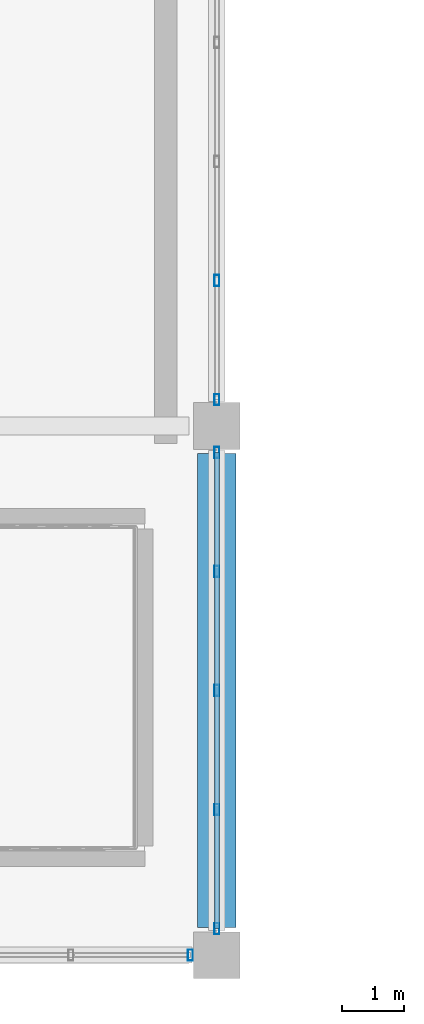
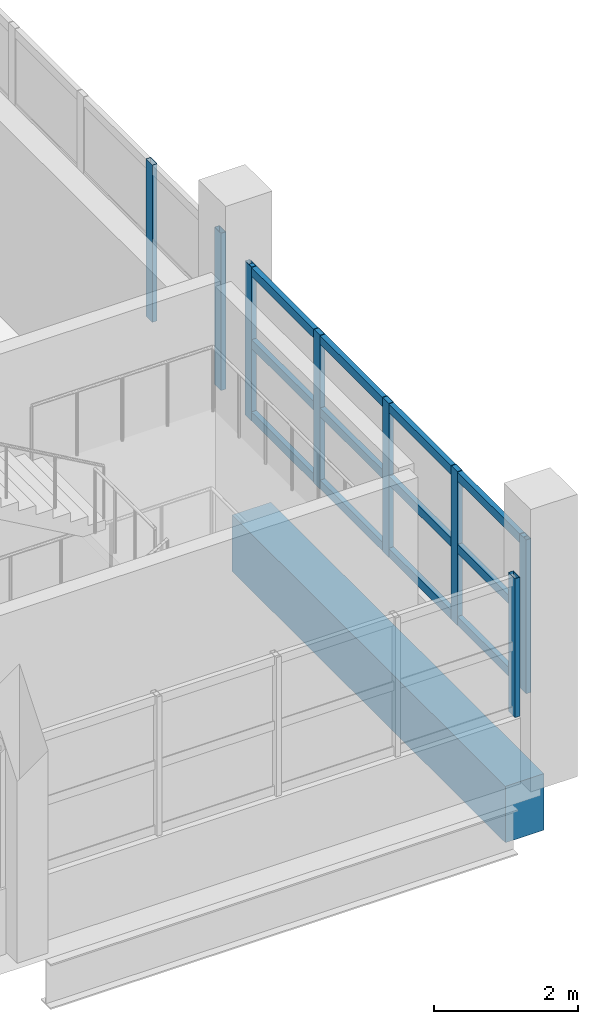
# One storey, part 67 of 117: 11 members, 1 beam, 3 elements without a shape of their own.
"""IFC4 building model written with IfcOpenShell, lengths in metres."""

from ifc_helpers import new_model, si_unit, direction, frame, origin, origin_2d, place, context, subcontext, project, spatial, rectangle, hollow_rectangle, extrude, material, material_profile, profile_set, type_object, element, aggregate, save


model = new_model("IFC4")

# Units and contexts
model_context = context("Model", 3, precision=1e-05, world=origin(), true_north=direction((0.0, 1.0)))
body_context = subcontext(model_context, "Body", "Model", "MODEL_VIEW")
ifc_project = project(units=[si_unit("LENGTHUNIT", "METRE"), si_unit("AREAUNIT", "SQUARE_METRE"), si_unit("VOLUMEUNIT", "CUBIC_METRE"), si_unit("PLANEANGLEUNIT", "RADIAN"), si_unit("MASSUNIT", "GRAM", prefix="KILO")], contexts=[model_context])

# Site, building, storey
site_placement = place(None, origin())
site = spatial("IfcSite", under=ifc_project, at=site_placement, CompositionType="ELEMENT")
building_placement = place(site_placement, origin())
building = spatial("IfcBuilding", under=site, at=building_placement, Name="Solvento Point Concert Hall", CompositionType="ELEMENT")
storey_placement = place(building_placement, frame((0.0, 0.0, 5.39990234375)))
storey = spatial("IfcBuildingStorey", under=building, at=storey_placement, Name="L01", CompositionType="ELEMENT", Elevation=5.39990234375)

# Beam
ifc_material_1 = material(Name="Concrete C35/45", Category="concrete")
ifc_material_profile_1 = material_profile(ifc_material_1, rectangle(XDim=0.6201171875, YDim=0.9599609375, at=origin_2d()), Name="RC-BM-620X960")
ifc_profile_set_1 = profile_set([ifc_material_profile_1], Name="Concrete C35/45")
beam_type = type_object("IfcBeamType", Name="Girder_RC_620x960", PredefinedType="USERDEFINED", material=ifc_profile_set_1)
beam_placement = place(storey_placement, frame((208.800048828125, 0.444091796875, -0.90380859375), z_axis=(0.0, 1.0, 0.0), x_axis=(-1.0, 0.0, 0.0)))
element("IfcBeam", 1, at=beam_placement, inside=storey, type_object=beam_type, Name="Primary girder B-69 L01", ObjectType="GIRDER", PredefinedType="USERDEFINED", context=body_context, shape_type="SweptSolid", body=[
    extrude(rectangle(XDim=0.6201171875, YDim=0.9599609375, at=origin_2d()), origin(), (0.0, 0.0, 1.0), 7.61181640625),
])

# Curtain wall, members
ifc_material_2 = material(Name="Anodized Bronze Aluminium", Category="aluminium")
curtain_wall_type = type_object("IfcCurtainWallType", Name="CurtainWall_ChamberCircle", PredefinedType="USERDEFINED", material=ifc_material_2)
curtain_wall_1_placement = place(storey_placement, origin())
curtain_wall_1 = element("IfcCurtainWall", 2, at=curtain_wall_1_placement, inside=storey, type_object=curtain_wall_type, Name="Unitised curtain wall CW-32 UCW-L01-083", ObjectType="UNITISED CURTAIN WALL", PredefinedType="USERDEFINED")
ifc_material_3 = material(Name="Anodized Bronze Aluminium", Category="aluminium")
ifc_material_profile_2 = material_profile(ifc_material_3, hollow_rectangle(XDim=0.080078125, YDim=0.179931640625, WallThickness=0.00390625, at=origin_2d()), Name="CW-MUL-80X180")
ifc_profile_set_2 = profile_set([ifc_material_profile_2], Name="Anodized Bronze Aluminium")
member_type_1 = type_object("IfcMemberType", Name="Mullion_80x180", PredefinedType="MULLION", material=ifc_profile_set_2)
member_1_placement = place(storey_placement, frame((208.800048828125, 0.425048828125, 1.1201171875), z_axis=(0.0, 0.0, 1.0), x_axis=(1.0, 0.0, 0.0)))
member_1 = element("IfcMember", 3, at=member_1_placement, type_object=member_type_1, Name="Curtain wall mullion ML-01", PredefinedType="MULLION", context=body_context, shape_type="SweptSolid", body=[
    extrude(hollow_rectangle(XDim=0.080078125, YDim=0.179931640625, WallThickness=0.00390625, at=origin_2d()), origin(), (0.0, 0.0, 1.0), 2.615966796875),
])
member_2_placement = place(storey_placement, frame((208.800048828125, 2.33740234375, 1.1201171875), z_axis=(0.0, 0.0, 1.0), x_axis=(1.0, 0.0, 0.0)))
member_2 = element("IfcMember", 4, at=member_2_placement, type_object=member_type_1, Name="Curtain wall mullion ML-01", PredefinedType="MULLION", context=body_context, shape_type="SweptSolid", body=[
    extrude(hollow_rectangle(XDim=0.080078125, YDim=0.179931640625, WallThickness=0.00390625, at=origin_2d()), origin(), (0.0, 0.0, 1.0), 2.615966796875),
])
member_3_placement = place(storey_placement, frame((208.800048828125, 4.25, 1.1201171875), z_axis=(0.0, 0.0, 1.0), x_axis=(1.0, 0.0, 0.0)))
member_3 = element("IfcMember", 5, at=member_3_placement, type_object=member_type_1, Name="Curtain wall mullion ML-01", PredefinedType="MULLION", context=body_context, shape_type="SweptSolid", body=[
    extrude(hollow_rectangle(XDim=0.080078125, YDim=0.179931640625, WallThickness=0.00390625, at=origin_2d()), origin(), (0.0, 0.0, 1.0), 2.615966796875),
])
member_4_placement = place(storey_placement, frame((208.800048828125, 6.16259765625, 1.1201171875), z_axis=(0.0, 0.0, 1.0), x_axis=(1.0, 0.0, 0.0)))
member_4 = element("IfcMember", 6, at=member_4_placement, type_object=member_type_1, Name="Curtain wall mullion ML-01", PredefinedType="MULLION", context=body_context, shape_type="SweptSolid", body=[
    extrude(hollow_rectangle(XDim=0.080078125, YDim=0.179931640625, WallThickness=0.00390625, at=origin_2d()), origin(), (0.0, 0.0, 1.0), 2.615966796875),
])
member_5_placement = place(storey_placement, frame((208.800048828125, 8.074951171875, 1.1201171875), z_axis=(0.0, 0.0, 1.0), x_axis=(1.0, 0.0, 0.0)))
member_5 = element("IfcMember", 7, at=member_5_placement, type_object=member_type_1, Name="Curtain wall mullion ML-01", PredefinedType="MULLION", context=body_context, shape_type="SweptSolid", body=[
    extrude(hollow_rectangle(XDim=0.080078125, YDim=0.179931640625, WallThickness=0.00390625, at=origin_2d()), origin(), (0.0, 0.0, 1.0), 2.615966796875),
])

curtain_wall_2_placement = place(storey_placement, origin())
curtain_wall_2 = element("IfcCurtainWall", 8, at=curtain_wall_2_placement, inside=storey, type_object=curtain_wall_type, Name="Unitised curtain wall CW-32 UCW-L01-084", ObjectType="UNITISED CURTAIN WALL", PredefinedType="USERDEFINED")
member_6_placement = place(storey_placement, frame((208.800048828125, 8.925048828125, 1.1201171875), z_axis=(0.0, 0.0, 1.0), x_axis=(1.0, 0.0, 0.0)))
member_6 = element("IfcMember", 9, at=member_6_placement, type_object=member_type_1, Name="Curtain wall mullion ML-01", PredefinedType="MULLION", context=body_context, shape_type="SweptSolid", body=[
    extrude(hollow_rectangle(XDim=0.080078125, YDim=0.179931640625, WallThickness=0.00390625, at=origin_2d()), origin(), (0.0, 0.0, 1.0), 2.675048828125),
])
member_7_placement = place(storey_placement, frame((208.800048828125, 10.83740234375, 1.1201171875), z_axis=(0.0, 0.0, 1.0), x_axis=(1.0, 0.0, 0.0)))
member_7 = element("IfcMember", 10, at=member_7_placement, type_object=member_type_1, Name="Curtain wall mullion ML-01", PredefinedType="MULLION", context=body_context, shape_type="SweptSolid", body=[
    extrude(hollow_rectangle(XDim=0.080078125, YDim=0.179931640625, WallThickness=0.00390625, at=origin_2d()), origin(), (0.0, 0.0, 1.0), 2.675048828125),
])
aggregate(curtain_wall_2, [member_6, member_7])

# Curtain wall, member
curtain_wall_3_placement = place(storey_placement, origin())
curtain_wall_3 = element("IfcCurtainWall", 11, at=curtain_wall_3_placement, inside=storey, type_object=curtain_wall_type, Name="Unitised curtain wall CW-32 UCW-L01-092", ObjectType="UNITISED CURTAIN WALL", PredefinedType="USERDEFINED")
member_8_placement = place(storey_placement, frame((208.375, 0.0, 1.1201171875), z_axis=(0.0, 0.0, 1.0), x_axis=(1.0, 0.0, 0.0)))
member_8 = element("IfcMember", 12, at=member_8_placement, type_object=member_type_1, Name="Curtain wall mullion ML-01", PredefinedType="MULLION", context=body_context, shape_type="SweptSolid", body=[
    extrude(hollow_rectangle(XDim=0.080078125, YDim=0.179931640625, WallThickness=0.00390625, at=origin_2d()), origin(), (0.0, 0.0, 1.0), 2.364990234375),
])
aggregate(curtain_wall_3, [member_8])

# Member
ifc_material_4 = material(Name="Anodized Bronze Aluminium", Category="aluminium")
ifc_material_profile_3 = material_profile(ifc_material_4, hollow_rectangle(XDim=0.080078125, YDim=0.14990234375, WallThickness=0.00390625, at=origin_2d()), Name="CW-TRN-80X150")
ifc_profile_set_3 = profile_set([ifc_material_profile_3], Name="Anodized Bronze Aluminium")
member_type_2 = type_object("IfcMemberType", Name="Transom_80x150", PredefinedType="USERDEFINED", material=ifc_profile_set_3)
member_9_placement = place(storey_placement, frame((208.800048828125, 0.425048828125, 1.2001953125), z_axis=(0.0, 1.0, 0.0), x_axis=(-1.0, 0.0, 0.0)))
member_9 = element("IfcMember", 13, at=member_9_placement, type_object=member_type_2, Name="Curtain wall transom TR-01", ObjectType="TRANSOM", PredefinedType="USERDEFINED", context=body_context, shape_type="SweptSolid", body=[
    extrude(hollow_rectangle(XDim=0.080078125, YDim=0.14990234375, WallThickness=0.00390625, at=origin_2d()), origin(), (0.0, 0.0, 1.0), 7.64990234375),
])

member_10_placement = place(storey_placement, frame((208.800048828125, 0.425048828125, 2.427978515625), z_axis=(0.0, 1.0, 0.0), x_axis=(-1.0, 0.0, 0.0)))
member_10 = element("IfcMember", 14, at=member_10_placement, type_object=member_type_2, Name="Curtain wall transom TR-01", ObjectType="TRANSOM", PredefinedType="USERDEFINED", context=body_context, shape_type="SweptSolid", body=[
    extrude(hollow_rectangle(XDim=0.080078125, YDim=0.14990234375, WallThickness=0.00390625, at=origin_2d()), origin(), (0.0, 0.0, 1.0), 7.64990234375),
])

member_11_placement = place(storey_placement, frame((208.800048828125, 0.425048828125, 3.656005859375), z_axis=(0.0, 1.0, 0.0), x_axis=(-1.0, 0.0, 0.0)))
member_11 = element("IfcMember", 15, at=member_11_placement, type_object=member_type_2, Name="Curtain wall transom TR-01", ObjectType="TRANSOM", PredefinedType="USERDEFINED", context=body_context, shape_type="SweptSolid", body=[
    extrude(hollow_rectangle(XDim=0.080078125, YDim=0.14990234375, WallThickness=0.00390625, at=origin_2d()), origin(), (0.0, 0.0, 1.0), 7.64990234375),
])

aggregate(curtain_wall_1, [member_1, member_2, member_3, member_4, member_5, member_9, member_10, member_11])

save(model, "model.ifc")
